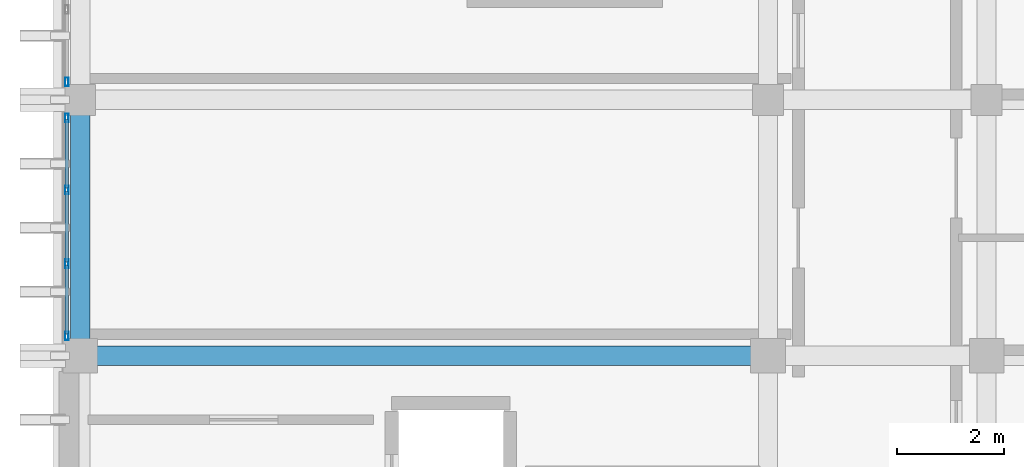
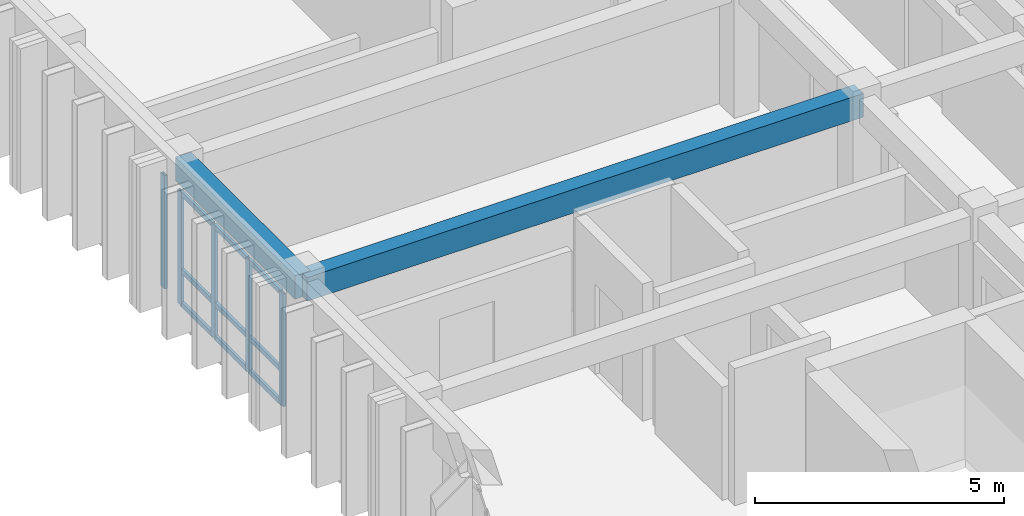
# One storey, part 20 of 49: 14 members, 2 beams, 2 elements without a shape of their own.
"""IFC4 building model written with IfcOpenShell, lengths in metres."""

from ifc_helpers import new_model, si_unit, direction, frame, origin, origin_2d, place, context, subcontext, project, spatial, rectangle, hollow_rectangle, extrude, material, layer, layer_set, material_profile, profile_set, type_object, element, aggregate, save


model = new_model("IFC4")

# Units and contexts
model_context = context("Model", 3, precision=1e-05, world=origin(), true_north=direction((0.0, 1.0)))
body_context = subcontext(model_context, "Body", "Model", "MODEL_VIEW")
ifc_project = project(units=[si_unit("LENGTHUNIT", "METRE"), si_unit("AREAUNIT", "SQUARE_METRE"), si_unit("VOLUMEUNIT", "CUBIC_METRE"), si_unit("PLANEANGLEUNIT", "RADIAN"), si_unit("MASSUNIT", "GRAM", prefix="KILO")], contexts=[model_context])

# Site, building, storey
site_placement = place(None, origin())
site = spatial("IfcSite", under=ifc_project, at=site_placement, CompositionType="ELEMENT")
building_placement = place(site_placement, origin())
building = spatial("IfcBuilding", under=site, at=building_placement, Name="Nakhvara Creek Congress Hotel", CompositionType="ELEMENT")
storey_placement = place(building_placement, frame((0.0, 0.0, 39.0)))
storey = spatial("IfcBuildingStorey", under=building, at=storey_placement, Name="L09", CompositionType="ELEMENT", Elevation=39.0)

# Beams
ifc_material_1 = material(Name="Concrete C40/50", Category="concrete")
ifc_material_profile_1 = material_profile(ifc_material_1, rectangle(XDim=0.360107421875, YDim=0.580078125, at=origin_2d()), Name="RC-BM 360x580", Category="LoadBearing")
ifc_profile_set_1 = profile_set([ifc_material_profile_1], Name="Concrete C40/50")
beam_type = type_object("IfcBeamType", Name="BM-RC-360X580", PredefinedType="BEAM", material=ifc_profile_set_1)
beam_1_placement = place(storey_placement, frame((149.449951171875, 96.0, 3.070068359375), z_axis=(1.0, 0.0, 0.0), x_axis=(0.0, 1.0, 0.0)))
element("IfcBeam", 1, at=beam_1_placement, inside=storey, type_object=beam_type, Name="Beam B09-L09-2543", PredefinedType="BEAM", context=body_context, shape_type="SweptSolid", body=[
    extrude(rectangle(XDim=0.360107421875, YDim=0.580078125, at=origin_2d()), origin(), (0.0, 0.0, 1.0), 12.900146484375),
])
beam_2_placement = place(storey_placement, frame((149.449951171875, 96.0, 3.070068359375), z_axis=(0.0, 1.0, 0.0), x_axis=(-1.0, 0.0, 0.0)))
element("IfcBeam", 2, at=beam_2_placement, inside=storey, type_object=beam_type, Name="Beam B09-L09-2545", PredefinedType="BEAM", context=body_context, shape_type="SweptSolid", body=[
    extrude(rectangle(XDim=0.360107421875, YDim=0.580078125, at=origin_2d()), origin(), (0.0, 0.0, 1.0), 4.800048828125),
])

# Curtain wall, members
ifc_material_2 = material(Name="Bronze-anodised aluminium AW-6063-T6 and double-silver low-E glass", Category="aluminium")
ifc_layer = layer(ifc_material_2, 0.199951171875)
ifc_layer_set = layer_set([ifc_layer], Name="Bronze-anodised aluminium AW-6063-T6 and double-silver low-E glass")
curtain_wall_type = type_object("IfcCurtainWallType", Name="CW-HTL-UNIT", PredefinedType="USERDEFINED", material=ifc_layer_set)
curtain_wall_1_placement = place(storey_placement, origin())
curtain_wall_1 = element("IfcCurtainWall", 3, at=curtain_wall_1_placement, inside=storey, type_object=curtain_wall_type, Name="Curtain Wall CW306", ObjectType="UNITISED", PredefinedType="USERDEFINED")
ifc_material_3 = material(Name="Bronze-anodised aluminium AW-6063-T6", Category="aluminium")
ifc_material_profile_2 = material_profile(ifc_material_3, hollow_rectangle(XDim=0.06494140625, YDim=0.159912109375, WallThickness=0.00390625, at=origin_2d()), Name="ALU-MULL 65x160x4", Category="LoadBearing")
ifc_profile_set_2 = profile_set([ifc_material_profile_2], Name="Bronze-anodised aluminium AW-6063-T6")
member_type_1 = type_object("IfcMemberType", Name="CW-MULL-160", PredefinedType="MULLION", material=ifc_profile_set_2)
member_1_placement = place(storey_placement, frame((149.199951171875, 96.37255859375, 0.0), z_axis=(0.0, 0.0, 1.0), x_axis=(-1.0, 0.0, 0.0)))
member_1 = element("IfcMember", 4, at=member_1_placement, type_object=member_type_1, Name="CW306 mullion 1", PredefinedType="MULLION", context=body_context, shape_type="SweptSolid", body=[
    extrude(hollow_rectangle(XDim=0.06494140625, YDim=0.159912109375, WallThickness=0.00390625, at=origin_2d()), origin(), (0.0, 0.0, 1.0), 2.77197265625),
])
member_2_placement = place(storey_placement, frame((149.199951171875, 97.72509765625, 0.0), z_axis=(0.0, 0.0, 1.0), x_axis=(-1.0, 0.0, 0.0)))
member_2 = element("IfcMember", 5, at=member_2_placement, type_object=member_type_1, Name="CW306 mullion 2", PredefinedType="MULLION", context=body_context, shape_type="SweptSolid", body=[
    extrude(hollow_rectangle(XDim=0.06494140625, YDim=0.159912109375, WallThickness=0.00390625, at=origin_2d()), origin(), (0.0, 0.0, 1.0), 2.77197265625),
])
member_3_placement = place(storey_placement, frame((149.199951171875, 99.110107421875, 0.0), z_axis=(0.0, 0.0, 1.0), x_axis=(-1.0, 0.0, 0.0)))
member_3 = element("IfcMember", 6, at=member_3_placement, type_object=member_type_1, Name="CW306 mullion 3", PredefinedType="MULLION", context=body_context, shape_type="SweptSolid", body=[
    extrude(hollow_rectangle(XDim=0.06494140625, YDim=0.159912109375, WallThickness=0.00390625, at=origin_2d()), origin(), (0.0, 0.0, 1.0), 2.77197265625),
])
member_4_placement = place(storey_placement, frame((149.199951171875, 100.46240234375, 0.0), z_axis=(0.0, 0.0, 1.0), x_axis=(-1.0, 0.0, 0.0)))
member_4 = element("IfcMember", 7, at=member_4_placement, type_object=member_type_1, Name="CW306 mullion 4", PredefinedType="MULLION", context=body_context, shape_type="SweptSolid", body=[
    extrude(hollow_rectangle(XDim=0.06494140625, YDim=0.159912109375, WallThickness=0.00390625, at=origin_2d()), origin(), (0.0, 0.0, 1.0), 2.77197265625),
])

# Curtain wall, member
curtain_wall_2_placement = place(storey_placement, origin())
curtain_wall_2 = element("IfcCurtainWall", 8, at=curtain_wall_2_placement, inside=storey, type_object=curtain_wall_type, Name="Curtain Wall CW308", ObjectType="UNITISED", PredefinedType="USERDEFINED")
member_5_placement = place(storey_placement, frame((149.199951171875, 101.137451171875, 0.0), z_axis=(0.0, 0.0, 1.0), x_axis=(-1.0, 0.0, 0.0)))
member_5 = element("IfcMember", 9, at=member_5_placement, type_object=member_type_1, Name="CW308 mullion 1", PredefinedType="MULLION", context=body_context, shape_type="SweptSolid", body=[
    extrude(hollow_rectangle(XDim=0.06494140625, YDim=0.159912109375, WallThickness=0.00390625, at=origin_2d()), origin(), (0.0, 0.0, 1.0), 2.77197265625),
])
aggregate(curtain_wall_2, [member_5])

# Member
ifc_material_profile_3 = material_profile(ifc_material_3, hollow_rectangle(XDim=0.06494140625, YDim=0.1201171875, WallThickness=0.00390625, at=origin_2d()), Name="ALU-TRAN 65x120x4", Category="LoadBearing")
ifc_profile_set_3 = profile_set([ifc_material_profile_3], Name="Bronze-anodised aluminium AW-6063-T6")
member_type_2 = type_object("IfcMemberType", Name="CW-TRAN-120", PredefinedType="USERDEFINED", material=ifc_profile_set_3)
member_6_placement = place(storey_placement, frame((149.199951171875, 96.405029296875, 0.032470703125), z_axis=(0.0, 1.0, 0.0), x_axis=(-1.0, 0.0, 0.0)))
member_6 = element("IfcMember", 10, at=member_6_placement, type_object=member_type_2, Name="CW306 transom 1.1", ObjectType="TRANSOM", PredefinedType="USERDEFINED", context=body_context, shape_type="SweptSolid", body=[
    extrude(hollow_rectangle(XDim=0.06494140625, YDim=0.1201171875, WallThickness=0.00390625, at=origin_2d()), origin(), (0.0, 0.0, 1.0), 1.287353515625),
])

member_7_placement = place(storey_placement, frame((149.199951171875, 96.405029296875, 0.85009765625), z_axis=(0.0, 1.0, 0.0), x_axis=(-1.0, 0.0, 0.0)))
member_7 = element("IfcMember", 11, at=member_7_placement, type_object=member_type_2, Name="CW306 transom 1.2", ObjectType="TRANSOM", PredefinedType="USERDEFINED", context=body_context, shape_type="SweptSolid", body=[
    extrude(hollow_rectangle(XDim=0.06494140625, YDim=0.1201171875, WallThickness=0.00390625, at=origin_2d()), origin(), (0.0, 0.0, 1.0), 1.287353515625),
])

member_8_placement = place(storey_placement, frame((149.199951171875, 96.405029296875, 2.739501953125), z_axis=(0.0, 1.0, 0.0), x_axis=(-1.0, 0.0, 0.0)))
member_8 = element("IfcMember", 12, at=member_8_placement, type_object=member_type_2, Name="CW306 transom 1.3", ObjectType="TRANSOM", PredefinedType="USERDEFINED", context=body_context, shape_type="SweptSolid", body=[
    extrude(hollow_rectangle(XDim=0.06494140625, YDim=0.1201171875, WallThickness=0.00390625, at=origin_2d()), origin(), (0.0, 0.0, 1.0), 1.287353515625),
])

member_9_placement = place(storey_placement, frame((149.199951171875, 97.757568359375, 0.032470703125), z_axis=(0.0, 1.0, 0.0), x_axis=(-1.0, 0.0, 0.0)))
member_9 = element("IfcMember", 13, at=member_9_placement, type_object=member_type_2, Name="CW306 transom 2.1", ObjectType="TRANSOM", PredefinedType="USERDEFINED", context=body_context, shape_type="SweptSolid", body=[
    extrude(hollow_rectangle(XDim=0.06494140625, YDim=0.1201171875, WallThickness=0.00390625, at=origin_2d()), origin(), (0.0, 0.0, 1.0), 1.31982421875),
])

member_10_placement = place(storey_placement, frame((149.199951171875, 97.757568359375, 0.85009765625), z_axis=(0.0, 1.0, 0.0), x_axis=(-1.0, 0.0, 0.0)))
member_10 = element("IfcMember", 14, at=member_10_placement, type_object=member_type_2, Name="CW306 transom 2.2", ObjectType="TRANSOM", PredefinedType="USERDEFINED", context=body_context, shape_type="SweptSolid", body=[
    extrude(hollow_rectangle(XDim=0.06494140625, YDim=0.1201171875, WallThickness=0.00390625, at=origin_2d()), origin(), (0.0, 0.0, 1.0), 1.31982421875),
])

member_11_placement = place(storey_placement, frame((149.199951171875, 97.757568359375, 2.739501953125), z_axis=(0.0, 1.0, 0.0), x_axis=(-1.0, 0.0, 0.0)))
member_11 = element("IfcMember", 15, at=member_11_placement, type_object=member_type_2, Name="CW306 transom 2.3", ObjectType="TRANSOM", PredefinedType="USERDEFINED", context=body_context, shape_type="SweptSolid", body=[
    extrude(hollow_rectangle(XDim=0.06494140625, YDim=0.1201171875, WallThickness=0.00390625, at=origin_2d()), origin(), (0.0, 0.0, 1.0), 1.31982421875),
])

member_12_placement = place(storey_placement, frame((149.199951171875, 99.142578125, 0.032470703125), z_axis=(0.0, 1.0, 0.0), x_axis=(-1.0, 0.0, 0.0)))
member_12 = element("IfcMember", 16, at=member_12_placement, type_object=member_type_2, Name="CW306 transom 3.1", ObjectType="TRANSOM", PredefinedType="USERDEFINED", context=body_context, shape_type="SweptSolid", body=[
    extrude(hollow_rectangle(XDim=0.06494140625, YDim=0.1201171875, WallThickness=0.00390625, at=origin_2d()), origin(), (0.0, 0.0, 1.0), 1.287353515625),
])

member_13_placement = place(storey_placement, frame((149.199951171875, 99.142578125, 0.85009765625), z_axis=(0.0, 1.0, 0.0), x_axis=(-1.0, 0.0, 0.0)))
member_13 = element("IfcMember", 17, at=member_13_placement, type_object=member_type_2, Name="CW306 transom 3.2", ObjectType="TRANSOM", PredefinedType="USERDEFINED", context=body_context, shape_type="SweptSolid", body=[
    extrude(hollow_rectangle(XDim=0.06494140625, YDim=0.1201171875, WallThickness=0.00390625, at=origin_2d()), origin(), (0.0, 0.0, 1.0), 1.287353515625),
])

member_14_placement = place(storey_placement, frame((149.199951171875, 99.142578125, 2.739501953125), z_axis=(0.0, 1.0, 0.0), x_axis=(-1.0, 0.0, 0.0)))
member_14 = element("IfcMember", 18, at=member_14_placement, type_object=member_type_2, Name="CW306 transom 3.3", ObjectType="TRANSOM", PredefinedType="USERDEFINED", context=body_context, shape_type="SweptSolid", body=[
    extrude(hollow_rectangle(XDim=0.06494140625, YDim=0.1201171875, WallThickness=0.00390625, at=origin_2d()), origin(), (0.0, 0.0, 1.0), 1.287353515625),
])

aggregate(curtain_wall_1, [member_1, member_2, member_3, member_4, member_6, member_7, member_8, member_9, member_10, member_11, member_12, member_13, member_14])

save(model, "model.ifc")
